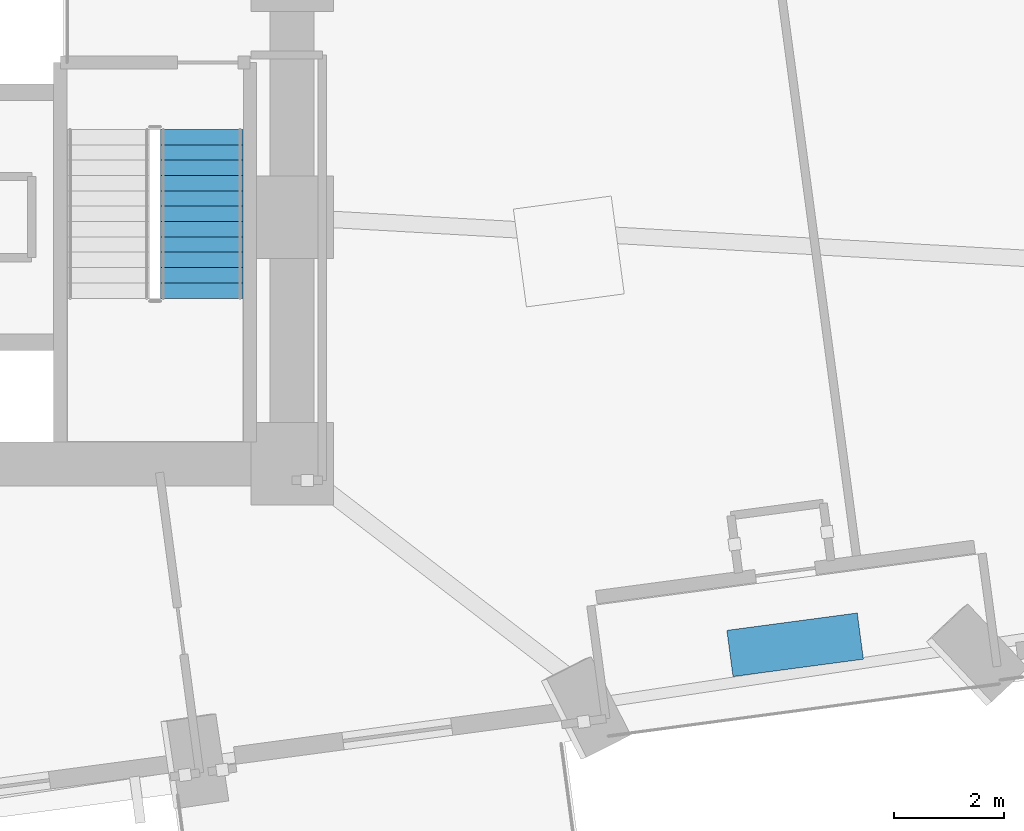
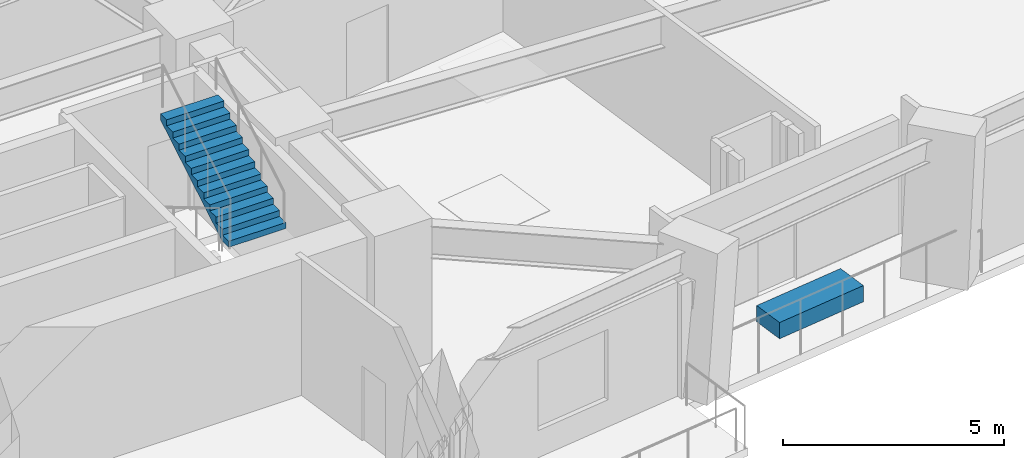
# One storey, part 10 of 14: 1 discrete accessory, 1 stair flight, 1 element without a shape of its own.
"""IFC4 building model written with IfcOpenShell, lengths in metres."""

from ifc_helpers import new_model, si_unit, direction, frame, origin, origin_2d, place, context, subcontext, project, spatial, polyline, rectangle, outline, extrude, material, type_object, element, aggregate, save


model = new_model("IFC4")

# Units and contexts
model_context = context("Model", 3, precision=1e-05, world=origin(), true_north=direction((0.0, 1.0)))
body_context = subcontext(model_context, "Body", "Model", "MODEL_VIEW")
ifc_project = project(units=[si_unit("LENGTHUNIT", "METRE"), si_unit("AREAUNIT", "SQUARE_METRE"), si_unit("VOLUMEUNIT", "CUBIC_METRE"), si_unit("PLANEANGLEUNIT", "RADIAN"), si_unit("MASSUNIT", "GRAM", prefix="KILO")], contexts=[model_context])

# Site, building, storey
site_placement = place(None, origin())
site = spatial("IfcSite", under=ifc_project, at=site_placement, CompositionType="ELEMENT")
building_placement = place(site_placement, origin())
building = spatial("IfcBuilding", under=site, at=building_placement, Name="Gaonmaruhae Medical Tower", CompositionType="ELEMENT")
storey_placement = place(building_placement, frame((0.0, 0.0, 55.0)))
storey = spatial("IfcBuildingStorey", under=building, at=storey_placement, Name="L12", CompositionType="ELEMENT", Elevation=55.0)

# Stair, stair flight
ifc_material_1 = material(Name="Concrete C40/50", Category="concrete")
stair_type = type_object("IfcStairType", Name="ST-T1 Primary Core Escape Dogleg Stair", PredefinedType="TWO_QUARTER_TURN_STAIR", material=ifc_material_1)
stair_placement = place(storey_placement, origin())
stair = element("IfcStair", 1, at=stair_placement, inside=storey, type_object=stair_type, Name="L12 Protected Escape Stair ST-02", PredefinedType="TWO_QUARTER_TURN_STAIR")
stair_flight_type = type_object("IfcStairFlightType", Name="SF-T1 Primary Core Precast Stair Flight", PredefinedType="STRAIGHT", material=ifc_material_1)
stair_flight_placement = place(storey_placement, frame((33.949951171875, 10.820068359375, 2.0), z_axis=(0.0, 0.0, 1.0), x_axis=(0.0, 1.0, 0.0)))
stair_flight = element("IfcStairFlight", 2, at=stair_flight_placement, type_object=stair_flight_type, Name="ST-02 flight 2", NumberOfRisers=12, NumberOfTreads=11, PredefinedType="STRAIGHT", RiserHeight=0.166666667, TreadLength=0.28, context=body_context, shape_type="SweptSolid", body=[
    extrude(outline(polyline([(0.0, 0.0), (0.0, 0.166748046875), (0.280029296875, 0.166748046875), (0.280029296875, 0.333251953125), (0.56005859375, 0.333251953125), (0.56005859375, 0.5), (0.840087890625, 0.5), (0.840087890625, 0.666748046875), (1.1201171875, 0.666748046875), (1.1201171875, 0.833251953125), (1.39990234375, 0.833251953125), (1.39990234375, 1.0), (1.679931640625, 1.0), (1.679931640625, 1.166748046875), (1.9599609375, 1.166748046875), (1.9599609375, 1.333251953125), (2.239990234375, 1.333251953125), (2.239990234375, 1.5), (2.52001953125, 1.5), (2.52001953125, 1.666748046875), (2.800048828125, 1.666748046875), (2.800048828125, 1.833251953125), (3.080078125, 1.833251953125), (3.080078125, 2.0), (3.080078125, 1.658935546875), (0.29296875, 0.0), (0.0, 0.0)])), frame((0.0, 0.75, 0.0), z_axis=(0.0, -1.0, 0.0), x_axis=(1.0, 0.0, 0.0)), (0.0, 0.0, 1.0), 1.5),
])
aggregate(stair, [stair_flight])

# Discrete accessory
ifc_material_2 = material(Name="Precast concrete C45/55", Category="concrete")
discrete_accessory_type = type_object("IfcDiscreteAccessoryType", Name="PLN-01 Sky Garden Precast Botanical Planter", PredefinedType="USERDEFINED", material=ifc_material_2)
discrete_accessory_placement = place(storey_placement, frame((44.77490234375, 4.49951171875, 0.0), z_axis=(0.0, 0.0, 1.0), x_axis=(0.991215540252, 0.132256390257, 0.0)))
element("IfcDiscreteAccessory", 3, at=discrete_accessory_placement, inside=storey, type_object=discrete_accessory_type, Name="L12 Sky Garden Botanical Planter SLB-L12-TER", ObjectType="PLANTER", PredefinedType="USERDEFINED", context=body_context, shape_type="SweptSolid", body=[
    extrude(rectangle(XDim=2.39990234375, YDim=0.85009765625, at=origin_2d()), origin(), (0.0, 0.0, 1.0), 0.449951171875),
])

save(model, "model.ifc")
